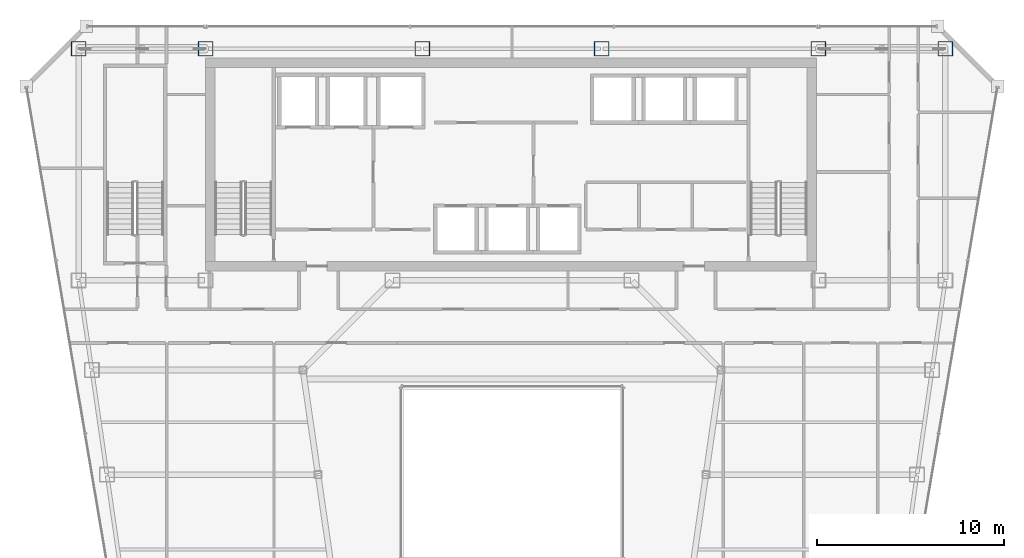
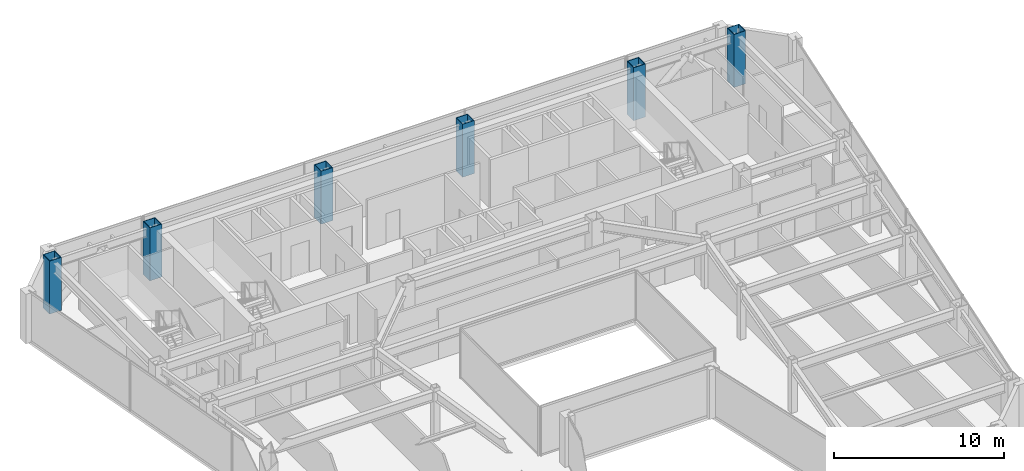
# One storey, part 2 of 36: 6 columns.
"""IFC4 building model written with IfcOpenShell, lengths in metres."""

from ifc_helpers import new_model, si_unit, direction, frame, origin, origin_2d, place, context, subcontext, project, spatial, hollow_rectangle, extrude, material, material_profile, profile_set, type_object, element, save


model = new_model("IFC4")

# Units and contexts
model_context = context("Model", 3, precision=1e-05, world=origin(), true_north=direction((0.0, 1.0)))
body_context = subcontext(model_context, "Body", "Model", "MODEL_VIEW")
ifc_project = project(units=[si_unit("LENGTHUNIT", "METRE"), si_unit("AREAUNIT", "SQUARE_METRE"), si_unit("VOLUMEUNIT", "CUBIC_METRE"), si_unit("PLANEANGLEUNIT", "RADIAN"), si_unit("MASSUNIT", "GRAM", prefix="KILO")], contexts=[model_context])

# Site, building, storey
site_placement = place(None, origin())
site = spatial("IfcSite", under=ifc_project, at=site_placement, CompositionType="ELEMENT")
building_placement = place(site_placement, origin())
building = spatial("IfcBuilding", under=site, at=building_placement, Name="Saevonmaru Cultural Tower", CompositionType="ELEMENT")
storey_placement = place(building_placement, frame((0.0, 0.0, 201.800048828125)))
storey = spatial("IfcBuildingStorey", under=building, at=storey_placement, Name="L46", CompositionType="ELEMENT", Elevation=201.800048828125)

# Columns
ifc_material = material(Name="Steel SM420", Category="steel")
ifc_material_profile = material_profile(ifc_material, hollow_rectangle(XDim=0.800048828125, YDim=0.800048828125, WallThickness=0.035888671875, at=origin_2d()), Name="BOX-800x800x36")
ifc_profile_set = profile_set([ifc_material_profile], Name="Steel SM420")
column_type = type_object("IfcColumnType", Name="COL-BOX-800", PredefinedType="COLUMN", material=ifc_profile_set)
for number, where, z_axis, x_axis, name in (
    (1, (6.800048828125, 54.800048828125, 0.0), (0.0, 0.0, 1.0), (1.0, 0.0, 0.0), "L46 Column TC-N1N"),
    (2, (13.60009765625, 54.800048828125, 0.0), (0.0, 0.0, 1.0), (1.0, 0.0, 0.0), "L46 Column TC-N2N"),
    (3, (25.199951171875, 54.800048828125, 0.0), (0.0, 0.0, 1.0), (1.0, 0.0, 0.0), "L46 Column TC-N3N"),
    (4, (34.800048828125, 54.800048828125, 0.0), (0.0, 0.0, 1.0), (1.0, 0.0, 0.0), "L46 Column TC-N4N"),
    (5, (46.39990234375, 54.800048828125, 0.0), (0.0, 0.0, 1.0), (1.0, 0.0, 0.0), "L46 Column TC-N5N"),
    (6, (53.199951171875, 54.800048828125, 0.0), (0.0, 0.0, 1.0), (1.0, 0.0, 0.0), "L46 Column TC-N6N"),
):
    element("IfcColumn", number, at=place(storey_placement, frame(where, z_axis=z_axis, x_axis=x_axis)), inside=storey, type_object=column_type, Name=name, PredefinedType="COLUMN", context=body_context, shape_type="SweptSolid", body=[
        extrude(hollow_rectangle(XDim=0.800048828125, YDim=0.800048828125, WallThickness=0.035888671875, at=origin_2d()), origin(), (0.0, 0.0, 1.0), 3.800048828125),
    ])

save(model, "model.ifc")
